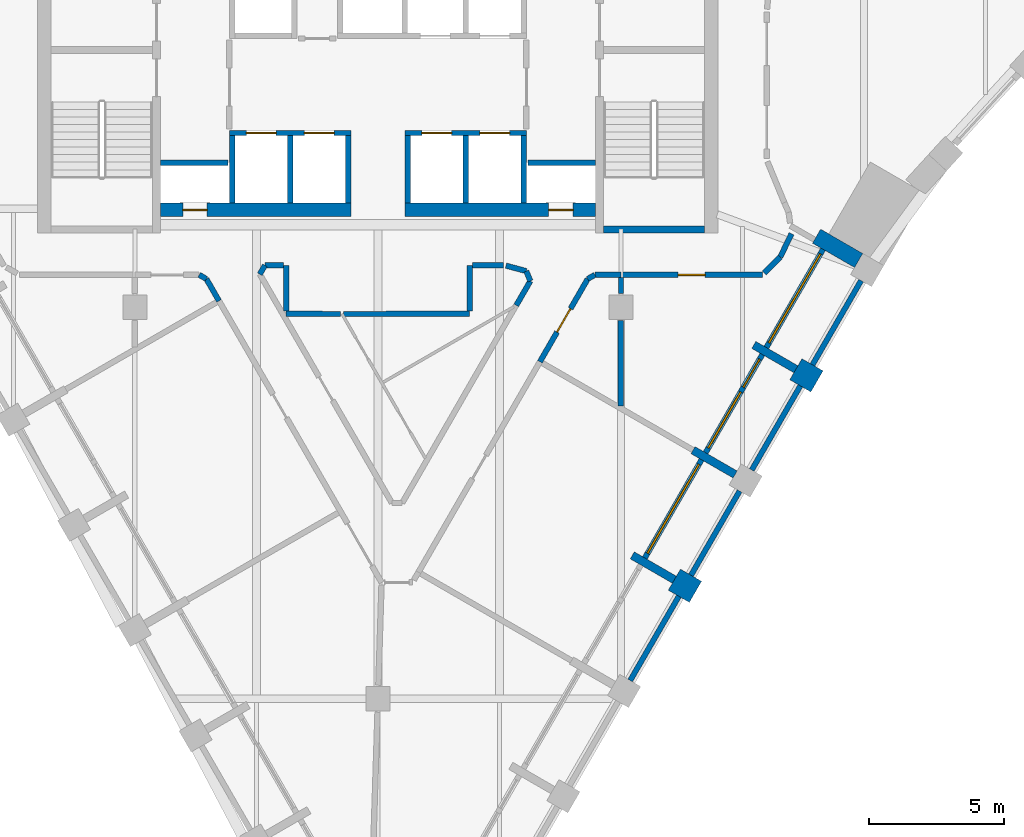
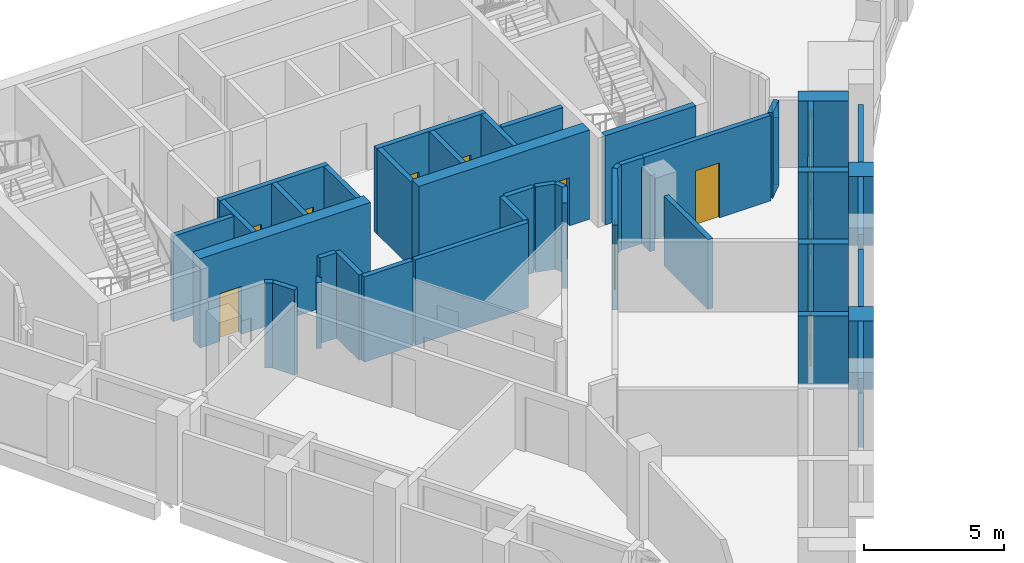
# One storey, part 4 of 8: 46 walls, 9 doors, 3 windows, 12 openings.
"""IFC4 building model written with IfcOpenShell, lengths in metres."""

from ifc_helpers import new_model, si_unit, direction, frame, frame_2d, origin, place, context, subcontext, project, spatial, rectangle, extrude, material, layer, layer_set, type_object, element, fill, save


model = new_model("IFC4")

# Units and contexts
model_context = context("Model", 3, precision=1e-05, world=origin(), true_north=direction((0.0, 1.0)))
body_context = subcontext(model_context, "Body", "Model", "MODEL_VIEW")
ifc_project = project(units=[si_unit("LENGTHUNIT", "METRE"), si_unit("AREAUNIT", "SQUARE_METRE"), si_unit("VOLUMEUNIT", "CUBIC_METRE"), si_unit("PLANEANGLEUNIT", "RADIAN"), si_unit("MASSUNIT", "GRAM", prefix="KILO")], contexts=[model_context])

# Site, building, storey
site_placement = place(None, origin())
site = spatial("IfcSite", under=ifc_project, at=site_placement, CompositionType="ELEMENT")
building_placement = place(site_placement, origin())
building = spatial("IfcBuilding", under=site, at=building_placement, Name="Calabash Gate Tower", CompositionType="ELEMENT")
storey_placement = place(building_placement, frame((0.0, 0.0, 279.39990234375)))
storey = spatial("IfcBuildingStorey", under=building, at=storey_placement, Name="L67", CompositionType="ELEMENT", Elevation=279.39990234375)

# Walls
ifc_material_1 = material(Name="Terracotta brick masonry, exposed face", Category="masonry")
ifc_layer_1 = layer(ifc_material_1, 0.89990234375)
ifc_layer_set_1 = layer_set([ifc_layer_1], Name="Brick end wall 900")
wall_type_1 = type_object("IfcWallType", Name="Brick end wall 900", PredefinedType="SOLIDWALL", material=ifc_layer_set_1)
for number, where, z_axis, x_axis, name in (
    (1, (11.758544921875, -8.041015625, 0.0), (0.0, 0.0, 1.0), (-0.866013897511, 0.50001992892, 0.0), "Brick pier S20 SE2.3"),
    (2, (15.479248046875, 0.203369140625, 0.0), (0.0, 0.0, 1.0), (0.865896406789, -0.500223362819, 0.0), "Brick pier S20 SE2.5"),
):
    element("IfcWall", number, at=place(storey_placement, frame(where, z_axis=z_axis, x_axis=x_axis)), inside=storey, type_object=wall_type_1, Name=name, PredefinedType="SOLIDWALL", context=body_context, shape_type="SweptSolid", body=[
        extrude(rectangle(XDim=0.89990234375, YDim=0.89990234375, at=frame_2d((0.449951171875, 0.0))), origin(), (0.0, 0.0, 1.0), 3.0),
    ])
ifc_material_2 = material(Name="Terracotta brick masonry, exposed face", Category="masonry")
ifc_layer_2 = layer(ifc_material_2, 0.300048828125)
ifc_layer_set_2 = layer_set([ifc_layer_2], Name="Brick loggia cheek wall 300")
wall_type_2 = type_object("IfcWallType", Name="Brick loggia cheek wall 300", PredefinedType="SOLIDWALL", material=ifc_layer_set_2)
for number, where, z_axis, x_axis, name in (
    (3, (9.42041015625, -6.69091796875, 0.0), (0.0, 0.0, 1.0), (0.865989075817, -0.500062916607, 0.0), "Loggia cheek S20 SE2.3"),
    (4, (13.229248046875, -3.69384765625, 0.0), (0.0, 0.0, 1.0), (-0.866047807691, 0.499961193289, 0.0), "Loggia cheek S20 SE2.4"),
    (5, (15.479248046875, 0.203369140625, 0.0), (0.0, 0.0, 1.0), (-0.866047807691, 0.499961193289, 0.0), "Loggia cheek S20 SE2.5"),
):
    element("IfcWall", number, at=place(storey_placement, frame(where, z_axis=z_axis, x_axis=x_axis)), inside=storey, type_object=wall_type_2, Name=name, PredefinedType="SOLIDWALL", context=body_context, shape_type="SweptSolid", body=[
        extrude(rectangle(XDim=1.800048828125, YDim=0.300048828125, at=frame_2d((0.89990234375, 0.0))), origin(), (0.0, 0.0, 1.0), 3.0),
    ])
wall_1_placement = place(storey_placement, frame((17.803466796875, 4.230712890625, 0.0), z_axis=(0.0, 0.0, 1.0), x_axis=(-0.866004803686, 0.500035678719, 0.0)))
element("IfcWall", 6, at=wall_1_placement, inside=storey, type_object=wall_type_2, Name="Loggia cheek S20 SE2.6", PredefinedType="SOLIDWALL", context=body_context, shape_type="SweptSolid", body=[
    extrude(rectangle(XDim=1.799072265625, YDim=0.60009765625, at=frame_2d((0.8994140625, 0.0))), origin(), (0.0, 0.0, 1.0), 2.9501953125),
])
ifc_material_3 = material(Name="Concrete C60/75", Category="concrete")
ifc_layer_3 = layer(ifc_material_3, 0.25)
ifc_layer_set_3 = layer_set([ifc_layer_3], Name="Core wall 250 Concrete C60/75")
wall_type_3 = type_object("IfcWallType", Name="Core wall 250 Concrete C60/75", PredefinedType="SHEAR", material=ifc_layer_set_3)
wall_2_placement = place(storey_placement, frame((8.35009765625, 5.377685546875, 0.0), z_axis=(0.0, 0.0, 1.0), x_axis=(1.0, 0.0, 0.0)))
element("IfcWall", 7, at=wall_2_placement, inside=storey, type_object=wall_type_3, Name="Core wall Z5-SSE L67", PredefinedType="SHEAR", context=body_context, shape_type="SweptSolid", body=[
    extrude(rectangle(XDim=3.75, YDim=0.25, at=frame_2d((1.875, 0.0))), origin(), (0.0, 0.0, 1.0), 3.900146484375),
])

# Wall, opening, door
ifc_material_4 = material(Name="Concrete C60/75", Category="concrete")
ifc_layer_4 = layer(ifc_material_4, 0.5)
ifc_layer_set_4 = layer_set([ifc_layer_4], Name="Core wall 500 Concrete C60/75")
wall_type_4 = type_object("IfcWallType", Name="Core wall 500 Concrete C60/75", PredefinedType="SHEAR", material=ifc_layer_set_4)
wall_3_placement = place(storey_placement, frame((-8.050048828125, 6.1025390625, 0.0), z_axis=(0.0, 0.0, 1.0), x_axis=(1.0, 0.0, 0.0)))
wall_3 = element("IfcWall", 8, at=wall_3_placement, inside=storey, type_object=wall_type_4, Name="Core wall Z5-SA L67", PredefinedType="SHEAR", context=body_context, shape_type="SweptSolid", body=[
    extrude(rectangle(XDim=7.050048828125, YDim=0.5, at=frame_2d((3.52490234375, 0.0))), origin(), (0.0, 0.0, 1.0), 3.900146484375),
])
opening_1_placement = place(wall_3_placement, frame((0.824951171875, 0.0, 0.0)))
opening_1 = element("IfcOpeningElement", 9, at=opening_1_placement, cuts=wall_3, Name="Opening O12-008", PredefinedType="OPENING", context=body_context, shape_type="SweptSolid", body=[
    extrude(rectangle(XDim=0.89990234375, YDim=2.10009765625, at=frame_2d((0.449951171875, 1.050048828125))), frame((0.0, 0.260009765625, 0.0), z_axis=(0.0, -1.0, 0.0), x_axis=(1.0, 0.0, 0.0)), (0.0, 0.0, 1.0), 0.52001953125),
])
ifc_material_5 = material(Name="Steel fire door set with fire-resisting glazing", Category="steel")
door_type_1 = type_object("IfcDoorType", Name="Fire door D07 900x2100 FD90", OperationType="NOTDEFINED", PredefinedType="DOOR", material=ifc_material_5)
door_1_placement = place(opening_1_placement, origin())
door_1 = element("IfcDoor", 10, at=door_1_placement, inside=storey, type_object=door_type_1, Name="Electrical Riser W door", OperationType="SINGLE_SWING_LEFT", OverallHeight=2.10009765625, OverallWidth=0.89990234375, PredefinedType="DOOR", context=body_context, shape_type="SweptSolid", body=[
    extrude(rectangle(XDim=0.89990234375, YDim=2.10009765625, at=frame_2d((0.449951171875, 1.050048828125))), frame((0.0, 0.02490234375, 0.0), z_axis=(0.0, -1.0, 0.0), x_axis=(1.0, 0.0, 0.0)), (0.0, 0.0, 1.0), 0.050048828125),
])
fill(opening_1, door_1)

wall_4_placement = place(storey_placement, frame((1.0, 6.1025390625, 0.0), z_axis=(0.0, 0.0, 1.0), x_axis=(1.0, 0.0, 0.0)))
wall_4 = element("IfcWall", 11, at=wall_4_placement, inside=storey, type_object=wall_type_4, Name="Core wall Z5-SB L67", PredefinedType="SHEAR", context=body_context, shape_type="SweptSolid", body=[
    extrude(rectangle(XDim=7.050048828125, YDim=0.5, at=frame_2d((3.52490234375, 0.0))), origin(), (0.0, 0.0, 1.0), 3.900146484375),
])
opening_2_placement = place(wall_4_placement, frame((5.324951171875, 0.0, 0.0)))
opening_2 = element("IfcOpeningElement", 12, at=opening_2_placement, cuts=wall_4, Name="Opening O12-007", PredefinedType="OPENING", context=body_context, shape_type="SweptSolid", body=[
    extrude(rectangle(XDim=0.89990234375, YDim=2.10009765625, at=frame_2d((0.449951171875, 1.050048828125))), frame((0.0, 0.260009765625, 0.0), z_axis=(0.0, -1.0, 0.0), x_axis=(1.0, 0.0, 0.0)), (0.0, 0.0, 1.0), 0.52001953125),
])
door_2_placement = place(opening_2_placement, origin())
door_2 = element("IfcDoor", 13, at=door_2_placement, inside=storey, type_object=door_type_1, Name="Mechanical Riser E door", OperationType="SINGLE_SWING_RIGHT", OverallHeight=2.10009765625, OverallWidth=0.89990234375, PredefinedType="DOOR", context=body_context, shape_type="SweptSolid", body=[
    extrude(rectangle(XDim=0.89990234375, YDim=2.10009765625, at=frame_2d((0.449951171875, 1.050048828125))), frame((0.0, 0.02490234375, 0.0), z_axis=(0.0, -1.0, 0.0), x_axis=(1.0, 0.0, 0.0)), (0.0, 0.0, 1.0), 0.050048828125),
])
fill(opening_2, door_2)

# Walls
ifc_material_6 = material(Name="Gypsum board on steel studs, mineral wool", Category="steel")
ifc_layer_5 = layer(ifc_material_6, 0.199951171875)
ifc_layer_set_5 = layer_set([ifc_layer_5], Name="Partition 200 gypsum board EI 60")
wall_type_5 = type_object("IfcWallType", Name="Partition 200 gypsum board EI 60", PredefinedType="PARTITIONING", material=ifc_layer_set_5)
wall_5_placement = place(storey_placement, frame((9.000244140625, -1.151611328125, 0.0), z_axis=(0.0, 0.0, 1.0), x_axis=(0.0, 1.0, 0.0)))
element("IfcWall", 14, at=wall_5_placement, inside=storey, type_object=wall_type_5, Name="Partition", PredefinedType="PARTITIONING", context=body_context, shape_type="SweptSolid", body=[
    extrude(rectangle(XDim=3.151611328125, YDim=0.199951171875, at=frame_2d((1.57568359375, 0.0))), origin(), (0.0, 0.0, 1.0), 3.052001953125),
])
wall_6_placement = place(storey_placement, frame((-3.400146484375, 2.25244140625, 0.0), z_axis=(0.0, 0.0, 1.0), x_axis=(0.999999531889, -0.00096758542, 0.0)))
element("IfcWall", 15, at=wall_6_placement, inside=storey, type_object=wall_type_5, Name="Partition", PredefinedType="PARTITIONING", context=body_context, shape_type="SweptSolid", body=[
    extrude(rectangle(XDim=2.0185546875, YDim=0.199951171875, at=frame_2d((1.00927734375, 0.0))), origin(), (0.0, 0.0, 1.0), 3.72998046875),
])
wall_7_placement = place(storey_placement, frame((-1.28125, 2.25048828125, 0.0), z_axis=(0.0, 0.0, 1.0), x_axis=(0.999999912959, 0.000417231632, 0.0)))
element("IfcWall", 16, at=wall_7_placement, inside=storey, type_object=wall_type_5, Name="Partition", PredefinedType="PARTITIONING", context=body_context, shape_type="SweptSolid", body=[
    extrude(rectangle(XDim=4.68115234375, YDim=0.199951171875, at=frame_2d((2.340576171875, 0.0))), origin(), (0.0, 0.0, 1.0), 3.72998046875),
])
wall_8_placement = place(storey_placement, frame((-3.402099609375, 4.050537109375, 0.0), z_axis=(0.0, 0.0, 1.0), x_axis=(0.001150085496, -0.999999338651, 0.0)))
element("IfcWall", 17, at=wall_8_placement, inside=storey, type_object=wall_type_5, Name="Partition", PredefinedType="PARTITIONING", context=body_context, shape_type="SweptSolid", body=[
    extrude(rectangle(XDim=1.6982421875, YDim=0.199951171875, at=frame_2d((0.84912109375, 0.0))), origin(), (0.0, 0.0, 1.0), 3.72998046875),
])
wall_9_placement = place(storey_placement, frame((5.122314453125, 2.568603515625, 0.0), z_axis=(0.0, 0.0, 1.0), x_axis=(0.501525356051, 0.86514294613, 0.0)))
element("IfcWall", 18, at=wall_9_placement, inside=storey, type_object=wall_type_5, Name="Partition", PredefinedType="PARTITIONING", context=body_context, shape_type="SweptSolid", body=[
    extrude(rectangle(XDim=1.042724609375, YDim=0.199951171875, at=frame_2d((0.521484375, 0.0))), origin(), (0.0, 0.0, 1.0), 3.72998046875),
])
wall_10_placement = place(storey_placement, frame((-6.352783203125, 3.54638671875, 0.0), z_axis=(0.0, 0.0, 1.0), x_axis=(0.498715622975, -0.86676567041, 0.0)))
element("IfcWall", 19, at=wall_10_placement, inside=storey, type_object=wall_type_5, Name="Partition", PredefinedType="PARTITIONING", context=body_context, shape_type="SweptSolid", body=[
    extrude(rectangle(XDim=0.93798828125, YDim=0.199951171875, at=frame_2d((0.468994140625, 0.0))), origin(), (0.0, 0.0, 1.0), 3.72998046875),
])
wall_11_placement = place(storey_placement, frame((5.494140625, 3.8369140625, 0.0), z_axis=(0.0, 0.0, 1.0), x_axis=(0.381462580175, -0.924384281523, 0.0)))
element("IfcWall", 20, at=wall_11_placement, inside=storey, type_object=wall_type_5, Name="Partition", PredefinedType="PARTITIONING", context=body_context, shape_type="SweptSolid", body=[
    extrude(rectangle(XDim=0.396240234375, YDim=0.199951171875, at=frame_2d((0.1982421875, 0.0))), origin(), (0.0, 0.0, 1.0), 3.72998046875),
])
wall_12_placement = place(storey_placement, frame((-6.61767578125, 3.699462890625, 0.0), z_axis=(0.0, 0.0, 1.0), x_axis=(0.865826662844, -0.500344071524, 0.0)))
element("IfcWall", 21, at=wall_12_placement, inside=storey, type_object=wall_type_5, Name="Partition", PredefinedType="PARTITIONING", context=body_context, shape_type="SweptSolid", body=[
    extrude(rectangle(XDim=0.305908203125, YDim=0.199951171875, at=frame_2d((0.15283203125, 0.0))), origin(), (0.0, 0.0, 1.0), 3.72998046875),
])

# Wall, opening, door
wall_13_placement = place(storey_placement, frame((6.0, 0.480712890625, 0.0), z_axis=(0.0, 0.0, 1.0), x_axis=(0.499648797631, 0.866228075639, 0.0)))
wall_13 = element("IfcWall", 22, at=wall_13_placement, inside=storey, type_object=wall_type_5, Name="Partition", PredefinedType="PARTITIONING", context=body_context, shape_type="SweptSolid", body=[
    extrude(rectangle(XDim=3.5390625, YDim=0.199951171875, at=frame_2d((1.76953125, 0.0))), origin(), (0.0, 0.0, 1.0), 3.72998046875),
])
opening_3_placement = place(wall_13_placement, frame((1.26953125, 0.0, 0.0)))
opening_3 = element("IfcOpeningElement", 23, at=opening_3_placement, cuts=wall_13, Name="Opening 67-68-008", PredefinedType="OPENING", context=body_context, shape_type="SweptSolid", body=[
    extrude(rectangle(XDim=1.0, YDim=2.39990234375, at=frame_2d((0.5, 1.199951171875))), frame((0.0, 0.10986328125, 0.0), z_axis=(0.0, -1.0, 0.0), x_axis=(1.0, 0.0, 0.0)), (0.0, 0.0, 1.0), 0.219970703125),
])
ifc_material_7 = material(Name="Painted timber door", Category="wood")
door_type_2 = type_object("IfcDoorType", Name="OD2 Glazed office door 1000x2400", OperationType="NOTDEFINED", PredefinedType="DOOR", material=ifc_material_7)
door_3_placement = place(opening_3_placement, origin())
door_3 = element("IfcDoor", 24, at=door_3_placement, inside=storey, type_object=door_type_2, Name="Glazed office door", OperationType="SINGLE_SWING_LEFT", OverallHeight=2.39990234375, OverallWidth=1.0, PredefinedType="DOOR", context=body_context, shape_type="SweptSolid", body=[
    extrude(rectangle(XDim=1.0, YDim=2.39990234375, at=frame_2d((0.5, 1.199951171875))), frame((0.0, 0.02490234375, 0.0), z_axis=(0.0, -1.0, 0.0), x_axis=(1.0, 0.0, 0.0)), (0.0, 0.0, 1.0), 0.050048828125),
])
fill(opening_3, door_3)

# Walls
wall_14_placement = place(storey_placement, frame((9.000244140625, 3.0, 0.0), z_axis=(0.0, 0.0, 1.0), x_axis=(0.002442989453, 0.999997015897, 0.0)))
element("IfcWall", 25, at=wall_14_placement, inside=storey, type_object=wall_type_5, Name="Partition", PredefinedType="PARTITIONING", context=body_context, shape_type="SweptSolid", body=[
    extrude(rectangle(XDim=0.599609375, YDim=0.199951171875, at=frame_2d((0.2998046875, 0.0))), origin(), (0.0, 0.0, 1.0), 3.331787109375),
])
wall_15_placement = place(storey_placement, frame((7.768310546875, 3.54638671875, 0.0), z_axis=(0.0, 0.0, 1.0), x_axis=(0.865826662844, 0.500344071524, 0.0)))
element("IfcWall", 26, at=wall_15_placement, inside=storey, type_object=wall_type_5, Name="Partition", PredefinedType="PARTITIONING", context=body_context, shape_type="SweptSolid", body=[
    extrude(rectangle(XDim=0.305908203125, YDim=0.199951171875, at=frame_2d((0.15283203125, 0.0))), origin(), (0.0, 0.0, 1.0), 3.72998046875),
])
wall_16_placement = place(storey_placement, frame((8.033203125, 3.699462890625, 0.0), z_axis=(0.0, 0.0, 1.0), x_axis=(0.99999885216, -0.001515149776, 0.0)))
element("IfcWall", 27, at=wall_16_placement, inside=storey, type_object=wall_type_5, Name="Partition", PredefinedType="PARTITIONING", context=body_context, shape_type="SweptSolid", body=[
    extrude(rectangle(XDim=0.966796875, YDim=0.199951171875, at=frame_2d((0.4833984375, 0.0))), origin(), (0.0, 0.0, 1.0), 3.72998046875),
])

# Wall, opening, door
wall_17_placement = place(storey_placement, frame((9.000244140625, 3.697998046875, 0.0), z_axis=(0.0, 0.0, 1.0), x_axis=(0.999999960922, 0.000279563869, 0.0)))
wall_17 = element("IfcWall", 28, at=wall_17_placement, inside=storey, type_object=wall_type_5, Name="Partition", PredefinedType="PARTITIONING", context=body_context, shape_type="SweptSolid", body=[
    extrude(rectangle(XDim=5.23974609375, YDim=0.199951171875, at=frame_2d((2.619873046875, 0.0))), origin(), (0.0, 0.0, 1.0), 3.72998046875),
])
opening_4_placement = place(wall_17_placement, frame((2.119873046875, 0.0, 0.0)))
opening_4 = element("IfcOpeningElement", 29, at=opening_4_placement, cuts=wall_17, Name="Opening 67-68-009", PredefinedType="OPENING", context=body_context, shape_type="SweptSolid", body=[
    extrude(rectangle(XDim=1.0, YDim=2.39990234375, at=frame_2d((0.5, 1.199951171875))), frame((0.0, 0.10986328125, 0.0), z_axis=(0.0, -1.0, 0.0), x_axis=(1.0, 0.0, 0.0)), (0.0, 0.0, 1.0), 0.219970703125),
])
door_4_placement = place(opening_4_placement, origin())
door_4 = element("IfcDoor", 30, at=door_4_placement, inside=storey, type_object=door_type_2, Name="Glazed office door", OperationType="SINGLE_SWING_RIGHT", OverallHeight=2.39990234375, OverallWidth=1.0, PredefinedType="DOOR", context=body_context, shape_type="SweptSolid", body=[
    extrude(rectangle(XDim=1.0, YDim=2.39990234375, at=frame_2d((0.5, 1.199951171875))), frame((0.0, 0.02490234375, 0.0), z_axis=(0.0, -1.0, 0.0), x_axis=(1.0, 0.0, 0.0)), (0.0, 0.0, 1.0), 0.050048828125),
])
fill(opening_4, door_4)

# Walls
wall_18_placement = place(storey_placement, frame((4.7421875, 4.041015625, 0.0), z_axis=(0.0, 0.0, 1.0), x_axis=(0.965081274591, -0.261950631675, 0.0)))
element("IfcWall", 31, at=wall_18_placement, inside=storey, type_object=wall_type_5, Name="Partition", PredefinedType="PARTITIONING", context=body_context, shape_type="SweptSolid", body=[
    extrude(rectangle(XDim=0.779052734375, YDim=0.199951171875, at=frame_2d((0.3896484375, 0.0))), origin(), (0.0, 0.0, 1.0), 3.72998046875),
])
wall_19_placement = place(storey_placement, frame((-4.375, 3.72265625, 0.0), z_axis=(0.0, 0.0, 1.0), x_axis=(0.499999897272, 0.866025463095, 0.0)))
element("IfcWall", 32, at=wall_19_placement, inside=storey, type_object=wall_type_5, Name="Partition", PredefinedType="PARTITIONING", context=body_context, shape_type="SweptSolid", body=[
    extrude(rectangle(XDim=0.380859375, YDim=0.199951171875, at=frame_2d((0.1904296875, 0.0))), origin(), (0.0, 0.0, 1.0), 2.88427734375),
])
wall_20_placement = place(storey_placement, frame((-4.1845703125, 4.052490234375, 0.0), z_axis=(0.0, 0.0, 1.0), x_axis=(0.999996866067, -0.002503568692, 0.0)))
element("IfcWall", 33, at=wall_20_placement, inside=storey, type_object=wall_type_5, Name="Partition", PredefinedType="PARTITIONING", context=body_context, shape_type="SweptSolid", body=[
    extrude(rectangle(XDim=0.6826171875, YDim=0.199951171875, at=frame_2d((0.34130859375, 0.0))), origin(), (0.0, 0.0, 1.0), 3.72998046875),
])
wall_21_placement = place(storey_placement, frame((3.400146484375, 2.352294921875, 0.0), z_axis=(0.0, 0.0, 1.0), x_axis=(0.001150085496, 0.999999338651, 0.0)))
element("IfcWall", 34, at=wall_21_placement, inside=storey, type_object=wall_type_5, Name="Partition", PredefinedType="PARTITIONING", context=body_context, shape_type="SweptSolid", body=[
    extrude(rectangle(XDim=1.6982421875, YDim=0.199951171875, at=frame_2d((0.84912109375, 0.0))), origin(), (0.0, 0.0, 1.0), 3.72998046875),
])
wall_22_placement = place(storey_placement, frame((3.501953125, 4.05078125, 0.0), z_axis=(0.0, 0.0, 1.0), x_axis=(0.999998904, 0.001480539832, 0.0)))
element("IfcWall", 35, at=wall_22_placement, inside=storey, type_object=wall_type_5, Name="Partition", PredefinedType="PARTITIONING", context=body_context, shape_type="SweptSolid", body=[
    extrude(rectangle(XDim=1.154296875, YDim=0.199951171875, at=frame_2d((0.5771484375, 0.0))), origin(), (0.0, 0.0, 1.0), 3.72998046875),
])
wall_23_placement = place(storey_placement, frame((14.310791015625, 3.770263671875, 0.0), z_axis=(0.0, 0.0, 1.0), x_axis=(0.707106781187, 0.707106781187, 0.0)))
element("IfcWall", 36, at=wall_23_placement, inside=storey, type_object=wall_type_5, Name="Partition", PredefinedType="PARTITIONING", context=body_context, shape_type="SweptSolid", body=[
    extrude(rectangle(XDim=0.833740234375, YDim=0.199951171875, at=frame_2d((0.4169921875, 0.0))), origin(), (0.0, 0.0, 1.0), 3.72998046875),
])
wall_24_placement = place(storey_placement, frame((14.900390625, 4.35986328125, 0.0), z_axis=(0.0, 0.0, 1.0), x_axis=(0.435199770088, 0.900333915897, 0.0)))
element("IfcWall", 37, at=wall_24_placement, inside=storey, type_object=wall_type_5, Name="Partition", PredefinedType="PARTITIONING", context=body_context, shape_type="SweptSolid", body=[
    extrude(rectangle(XDim=0.954345703125, YDim=0.199951171875, at=frame_2d((0.47705078125, 0.0))), origin(), (0.0, 0.0, 1.0), 2.9501953125),
])
ifc_material_8 = material(Name="Concrete C40/50", Category="concrete")
ifc_layer_6 = layer(ifc_material_8, 0.199951171875)
ifc_layer_set_6 = layer_set([ifc_layer_6], Name="Shaft wall 200 Concrete C40/50")
wall_type_6 = type_object("IfcWallType", Name="Shaft wall 200 Concrete C40/50", PredefinedType="SOLIDWALL", material=ifc_layer_set_6)
for number, where, z_axis, x_axis, name in (
    (38, (-5.39990234375, 6.3525390625, 0.0), (0.0, 0.0, 1.0), (0.0, 1.0, 0.0), "Shaft wall"),
    (39, (-3.25, 6.3525390625, 0.0), (0.0, 0.0, 1.0), (0.0, 1.0, 0.0), "Shaft wall"),
    (40, (-1.10009765625, 6.3525390625, 0.0), (0.0, 0.0, 1.0), (0.0, 1.0, 0.0), "Shaft wall"),
    (41, (1.10009765625, 6.3525390625, 0.0), (0.0, 0.0, 1.0), (0.0, 1.0, 0.0), "Shaft wall"),
    (42, (3.25, 6.3525390625, 0.0), (0.0, 0.0, 1.0), (0.0, 1.0, 0.0), "Shaft wall"),
    (43, (5.39990234375, 6.3525390625, 0.0), (0.0, 0.0, 1.0), (0.0, 1.0, 0.0), "Shaft wall"),
    (44, (-8.050048828125, 7.8525390625, 0.0), (0.0, 0.0, 1.0), (1.0, 0.0, 0.0), "Shaft wall"),
    (45, (5.550048828125, 7.8525390625, 0.0), (0.0, 0.0, 1.0), (1.0, 0.0, 0.0), "Shaft wall"),
):
    element("IfcWall", number, at=place(storey_placement, frame(where, z_axis=z_axis, x_axis=x_axis)), inside=storey, type_object=wall_type_6, Name=name, PredefinedType="SOLIDWALL", context=body_context, shape_type="SweptSolid", body=[
        extrude(rectangle(XDim=2.5, YDim=0.199951171875, at=frame_2d((1.25, 0.0))), origin(), (0.0, 0.0, 1.0), 3.72998046875),
    ])

# Wall, openings, doors
wall_25_placement = place(storey_placement, frame((-5.5, 8.95263671875, 0.0), z_axis=(0.0, 0.0, 1.0), x_axis=(1.0, 0.0, 0.0)))
wall_25 = element("IfcWall", 46, at=wall_25_placement, inside=storey, type_object=wall_type_6, Name="Shaft wall", PredefinedType="SOLIDWALL", context=body_context, shape_type="SweptSolid", body=[
    extrude(rectangle(XDim=4.5, YDim=0.199951171875, at=frame_2d((2.25, 0.0))), origin(), (0.0, 0.0, 1.0), 3.72998046875),
])
opening_5_placement = place(wall_25_placement, frame((0.625, 0.0, 0.0)))
opening_5 = element("IfcOpeningElement", 47, at=opening_5_placement, cuts=wall_25, Name="Opening LD-HR1", PredefinedType="OPENING", context=body_context, shape_type="SweptSolid", body=[
    extrude(rectangle(XDim=1.10009765625, YDim=2.10009765625, at=frame_2d((0.550048828125, 1.050048828125))), frame((0.0, 0.10986328125, 0.0), z_axis=(0.0, -1.0, 0.0), x_axis=(1.0, 0.0, 0.0)), (0.0, 0.0, 1.0), 0.219970703125),
])
opening_6_placement = place(wall_25_placement, frame((2.77490234375, 0.0, 0.0)))
opening_6 = element("IfcOpeningElement", 48, at=opening_6_placement, cuts=wall_25, Name="Opening LD-HR2", PredefinedType="OPENING", context=body_context, shape_type="SweptSolid", body=[
    extrude(rectangle(XDim=1.10009765625, YDim=2.10009765625, at=frame_2d((0.550048828125, 1.050048828125))), frame((0.0, 0.10986328125, 0.0), z_axis=(0.0, -1.0, 0.0), x_axis=(1.0, 0.0, 0.0)), (0.0, 0.0, 1.0), 0.219970703125),
])
ifc_material_9 = material(Name="Stainless steel sliding door leaves", Category="steel")
door_type_3 = type_object("IfcDoorType", Name="Lift landing door LS1 1100x2100 FD90", OperationType="DOUBLE_DOOR_SLIDING", PredefinedType="DOOR", material=ifc_material_9)
door_5_placement = place(opening_5_placement, origin())
door_5 = element("IfcDoor", 49, at=door_5_placement, inside=storey, type_object=door_type_3, Name="Lift landing door HR1", OperationType="DOUBLE_DOOR_SLIDING", OverallHeight=2.10009765625, OverallWidth=1.10009765625, PredefinedType="DOOR", context=body_context, shape_type="SweptSolid", body=[
    extrude(rectangle(XDim=1.10009765625, YDim=2.10009765625, at=frame_2d((0.550048828125, 1.050048828125))), frame((0.0, 0.02490234375, 0.0), z_axis=(0.0, -1.0, 0.0), x_axis=(1.0, 0.0, 0.0)), (0.0, 0.0, 1.0), 0.050048828125),
])
fill(opening_5, door_5)
door_6_placement = place(opening_6_placement, origin())
door_6 = element("IfcDoor", 50, at=door_6_placement, inside=storey, type_object=door_type_3, Name="Lift landing door HR2", OperationType="DOUBLE_DOOR_SLIDING", OverallHeight=2.10009765625, OverallWidth=1.10009765625, PredefinedType="DOOR", context=body_context, shape_type="SweptSolid", body=[
    extrude(rectangle(XDim=1.10009765625, YDim=2.10009765625, at=frame_2d((0.550048828125, 1.050048828125))), frame((0.0, 0.02490234375, 0.0), z_axis=(0.0, -1.0, 0.0), x_axis=(1.0, 0.0, 0.0)), (0.0, 0.0, 1.0), 0.050048828125),
])
fill(opening_6, door_6)

wall_26_placement = place(storey_placement, frame((1.0, 8.95263671875, 0.0), z_axis=(0.0, 0.0, 1.0), x_axis=(1.0, 0.0, 0.0)))
wall_26 = element("IfcWall", 51, at=wall_26_placement, inside=storey, type_object=wall_type_6, Name="Shaft wall", PredefinedType="SOLIDWALL", context=body_context, shape_type="SweptSolid", body=[
    extrude(rectangle(XDim=4.5, YDim=0.199951171875, at=frame_2d((2.25, 0.0))), origin(), (0.0, 0.0, 1.0), 3.72998046875),
])
opening_7_placement = place(wall_26_placement, frame((0.625, 0.0, 0.0)))
opening_7 = element("IfcOpeningElement", 52, at=opening_7_placement, cuts=wall_26, Name="Opening LD-HR3", PredefinedType="OPENING", context=body_context, shape_type="SweptSolid", body=[
    extrude(rectangle(XDim=1.10009765625, YDim=2.10009765625, at=frame_2d((0.550048828125, 1.050048828125))), frame((0.0, 0.10986328125, 0.0), z_axis=(0.0, -1.0, 0.0), x_axis=(1.0, 0.0, 0.0)), (0.0, 0.0, 1.0), 0.219970703125),
])
opening_8_placement = place(wall_26_placement, frame((2.77490234375, 0.0, 0.0)))
opening_8 = element("IfcOpeningElement", 53, at=opening_8_placement, cuts=wall_26, Name="Opening LD-HR4", PredefinedType="OPENING", context=body_context, shape_type="SweptSolid", body=[
    extrude(rectangle(XDim=1.10009765625, YDim=2.10009765625, at=frame_2d((0.550048828125, 1.050048828125))), frame((0.0, 0.10986328125, 0.0), z_axis=(0.0, -1.0, 0.0), x_axis=(1.0, 0.0, 0.0)), (0.0, 0.0, 1.0), 0.219970703125),
])
door_7_placement = place(opening_7_placement, origin())
door_7 = element("IfcDoor", 54, at=door_7_placement, inside=storey, type_object=door_type_3, Name="Lift landing door HR3", OperationType="DOUBLE_DOOR_SLIDING", OverallHeight=2.10009765625, OverallWidth=1.10009765625, PredefinedType="DOOR", context=body_context, shape_type="SweptSolid", body=[
    extrude(rectangle(XDim=1.10009765625, YDim=2.10009765625, at=frame_2d((0.550048828125, 1.050048828125))), frame((0.0, 0.02490234375, 0.0), z_axis=(0.0, -1.0, 0.0), x_axis=(1.0, 0.0, 0.0)), (0.0, 0.0, 1.0), 0.050048828125),
])
fill(opening_7, door_7)
door_8_placement = place(opening_8_placement, origin())
door_8 = element("IfcDoor", 55, at=door_8_placement, inside=storey, type_object=door_type_3, Name="Lift landing door HR4", OperationType="DOUBLE_DOOR_SLIDING", OverallHeight=2.10009765625, OverallWidth=1.10009765625, PredefinedType="DOOR", context=body_context, shape_type="SweptSolid", body=[
    extrude(rectangle(XDim=1.10009765625, YDim=2.10009765625, at=frame_2d((0.550048828125, 1.050048828125))), frame((0.0, 0.02490234375, 0.0), z_axis=(0.0, -1.0, 0.0), x_axis=(1.0, 0.0, 0.0)), (0.0, 0.0, 1.0), 0.050048828125),
])
fill(opening_8, door_8)

# Walls
ifc_material_10 = material(Name="Terracotta brick masonry, perforated", Category="masonry")
ifc_layer_7 = layer(ifc_material_10, 0.199951171875)
ifc_layer_set_7 = layer_set([ifc_layer_7], Name="Terracotta jaali screen B")
wall_type_7 = type_object("IfcWallType", Name="Terracotta jaali screen B", PredefinedType="SOLIDWALL", material=ifc_layer_set_7)
for number, where, z_axis, x_axis, name in (
    (56, (9.343994140625, -11.3232421875, 0.0), (0.0, 0.0, 1.0), (0.500012057535, 0.866018442252, 0.0), "SCREEN B S20 SE2.3"),
    (57, (11.593994140625, -7.42626953125, 0.0), (0.0, 0.0, 1.0), (0.500012057535, 0.866018442252, 0.0), "SCREEN B S20 SE2.4"),
    (58, (13.843994140625, -3.529052734375, 0.0), (0.0, 0.0, 1.0), (0.500012057535, 0.866018442252, 0.0), "SCREEN B S20 SE2.5"),
    (59, (16.093994140625, 0.367919921875, 0.0), (0.0, 0.0, 1.0), (0.500012057535, 0.866018442252, 0.0), "SCREEN B S20 SE2.6"),
):
    element("IfcWall", number, at=place(storey_placement, frame(where, z_axis=z_axis, x_axis=x_axis)), inside=storey, type_object=wall_type_7, Name=name, PredefinedType="SOLIDWALL", context=body_context, shape_type="SweptSolid", body=[
        extrude(rectangle(XDim=3.60009765625, YDim=0.199951171875, at=frame_2d((1.800048828125, 0.0))), origin(), (0.0, 0.0, 1.0), 3.0),
    ])

# Wall, opening, window
ifc_material_11 = material(Name="Aluminium framed window wall with insulated spandrel", Category="aluminium")
ifc_layer_8 = layer(ifc_material_11, 0.199951171875)
ifc_layer_set_8 = layer_set([ifc_layer_8], Name="Window wall 200")
wall_type_8 = type_object("IfcWallType", Name="Window wall 200", PredefinedType="ELEMENTEDWALL", material=ifc_layer_set_8)
wall_27_placement = place(storey_placement, frame((9.885009765625, -6.7861328125, 0.0), z_axis=(0.0, 0.0, 1.0), x_axis=(0.500002543286, 0.866023935413, 0.0)))
wall_27 = element("IfcWall", 60, at=wall_27_placement, inside=storey, type_object=wall_type_8, Name="Window wall S20 SE2.4", PredefinedType="ELEMENTEDWALL", context=body_context, shape_type="SweptSolid", body=[
    extrude(rectangle(XDim=4.2001953125, YDim=0.199951171875, at=frame_2d((2.10009765625, 0.0))), origin(), (0.0, 0.0, 1.0), 3.0),
])
opening_9_placement = place(wall_27_placement, frame((0.199951171875, 0.0, 0.449951171875)))
opening_9 = element("IfcOpeningElement", 61, at=opening_9_placement, cuts=wall_27, Name="Opening OW2", PredefinedType="OPENING", context=body_context, shape_type="SweptSolid", body=[
    extrude(rectangle(XDim=3.800048828125, YDim=2.25, at=frame_2d((1.89990234375, 1.125))), frame((0.0, 0.10986328125, 0.0), z_axis=(0.0, -1.0, 0.0), x_axis=(1.0, 0.0, 0.0)), (0.0, 0.0, 1.0), 0.219970703125),
])
ifc_material_12 = material(Name="Anodised aluminium frame, bronze finish, impact-rated laminated clear glazing", Category="aluminium")
window_type_1 = type_object("IfcWindowType", Name="Window OW2 3800x2250", PartitioningType="TRIPLE_PANEL_VERTICAL", PredefinedType="WINDOW", material=ifc_material_12)
window_1_placement = place(opening_9_placement, origin())
window_1 = element("IfcWindow", 62, at=window_1_placement, inside=storey, type_object=window_type_1, Name="Window OW2 S20 SE2.4", OverallHeight=2.25, OverallWidth=3.800048828125, PartitioningType="SINGLE_PANEL", PredefinedType="WINDOW", context=body_context, shape_type="SweptSolid", body=[
    extrude(rectangle(XDim=3.800048828125, YDim=2.25, at=frame_2d((1.89990234375, 1.125))), frame((0.0, 0.030029296875, 0.0), z_axis=(0.0, -1.0, 0.0), x_axis=(1.0, 0.0, 0.0)), (0.0, 0.0, 1.0), 0.06005859375),
])
fill(opening_9, window_1)

# Wall, openings, door, window
wall_28_placement = place(storey_placement, frame((12.135009765625, -2.888916015625, 0.0), z_axis=(0.0, 0.0, 1.0), x_axis=(0.500027713859, 0.866009402589, 0.0)))
wall_28 = element("IfcWall", 63, at=wall_28_placement, inside=storey, type_object=wall_type_8, Name="Window wall S20 SE2.5", PredefinedType="ELEMENTEDWALL", context=body_context, shape_type="SweptSolid", body=[
    extrude(rectangle(XDim=4.199951171875, YDim=0.199951171875, at=frame_2d((2.10009765625, 0.0))), origin(), (0.0, 0.0, 1.0), 3.0),
])
opening_10_placement = place(wall_28_placement, frame((0.199951171875, 0.0, 0.449951171875)))
opening_10 = element("IfcOpeningElement", 64, at=opening_10_placement, cuts=wall_28, Name="Opening OW1", PredefinedType="OPENING", context=body_context, shape_type="SweptSolid", body=[
    extrude(rectangle(XDim=2.39990234375, YDim=2.25, at=frame_2d((1.199951171875, 1.125))), frame((0.0, 0.10986328125, 0.0), z_axis=(0.0, -1.0, 0.0), x_axis=(1.0, 0.0, 0.0)), (0.0, 0.0, 1.0), 0.219970703125),
])
opening_11_placement = place(wall_28_placement, frame((2.800048828125, 0.0, 0.0)))
opening_11 = element("IfcOpeningElement", 65, at=opening_11_placement, cuts=wall_28, Name="Opening O12-016", PredefinedType="OPENING", context=body_context, shape_type="SweptSolid", body=[
    extrude(rectangle(XDim=1.199951171875, YDim=2.699951171875, at=frame_2d((0.60009765625, 1.35009765625))), frame((0.0, 0.10986328125, 0.0), z_axis=(0.0, -1.0, 0.0), x_axis=(1.0, 0.0, 0.0)), (0.0, 0.0, 1.0), 0.219970703125),
])
ifc_material_13 = material(Name="Anodised aluminium frame, bronze finish, impact-rated laminated clear glazing", Category="aluminium")
door_type_4 = type_object("IfcDoorType", Name="Loggia door DO1 1200x2700", OperationType="SLIDING_TO_LEFT", PredefinedType="DOOR", material=ifc_material_13)
door_9_placement = place(opening_11_placement, origin())
door_9 = element("IfcDoor", 66, at=door_9_placement, inside=storey, type_object=door_type_4, Name="Loggia door S20 SE2.5", OperationType="SINGLE_SWING_LEFT", OverallHeight=2.699951171875, OverallWidth=1.199951171875, PredefinedType="DOOR", context=body_context, shape_type="SweptSolid", body=[
    extrude(rectangle(XDim=1.199951171875, YDim=2.699951171875, at=frame_2d((0.60009765625, 1.35009765625))), frame((0.0, 0.02490234375, 0.0), z_axis=(0.0, -1.0, 0.0), x_axis=(1.0, 0.0, 0.0)), (0.0, 0.0, 1.0), 0.050048828125),
])
fill(opening_11, door_9)
ifc_material_14 = material(Name="Anodised aluminium frame, bronze finish, impact-rated laminated clear glazing", Category="aluminium")
window_type_2 = type_object("IfcWindowType", Name="Window OW1 2400x2250", PartitioningType="DOUBLE_PANEL_VERTICAL", PredefinedType="WINDOW", material=ifc_material_14)
window_2_placement = place(opening_10_placement, origin())
window_2 = element("IfcWindow", 67, at=window_2_placement, inside=storey, type_object=window_type_2, Name="Window OW1 S20 SE2.5", OverallHeight=2.25, OverallWidth=2.39990234375, PartitioningType="SINGLE_PANEL", PredefinedType="WINDOW", context=body_context, shape_type="SweptSolid", body=[
    extrude(rectangle(XDim=2.39990234375, YDim=2.25, at=frame_2d((1.199951171875, 1.125))), frame((0.0, 0.030029296875, 0.0), z_axis=(0.0, -1.0, 0.0), x_axis=(1.0, 0.0, 0.0)), (0.0, 0.0, 1.0), 0.06005859375),
])
fill(opening_10, window_2)

# Wall, opening, window
wall_29_placement = place(storey_placement, frame((14.385009765625, 1.00830078125, 0.0), z_axis=(0.0, 0.0, 1.0), x_axis=(0.500027713859, 0.866009402589, 0.0)))
wall_29 = element("IfcWall", 68, at=wall_29_placement, inside=storey, type_object=wall_type_8, Name="Window wall S20 SE2.6", PredefinedType="ELEMENTEDWALL", context=body_context, shape_type="SweptSolid", body=[
    extrude(rectangle(XDim=4.199951171875, YDim=0.199951171875, at=frame_2d((2.10009765625, 0.0))), origin(), (0.0, 0.0, 1.0), 2.9501953125),
])
opening_12_placement = place(wall_29_placement, frame((0.199951171875, 0.0, 0.449951171875)))
opening_12 = element("IfcOpeningElement", 69, at=opening_12_placement, cuts=wall_29, Name="Opening OW2", PredefinedType="OPENING", context=body_context, shape_type="SweptSolid", body=[
    extrude(rectangle(XDim=3.800048828125, YDim=2.25, at=frame_2d((1.89990234375, 1.125))), frame((0.0, 0.10986328125, 0.0), z_axis=(0.0, -1.0, 0.0), x_axis=(1.0, 0.0, 0.0)), (0.0, 0.0, 1.0), 0.219970703125),
])
window_3_placement = place(opening_12_placement, origin())
window_3 = element("IfcWindow", 70, at=window_3_placement, inside=storey, type_object=window_type_1, Name="Window OW2 S20 SE2.6", OverallHeight=2.25, OverallWidth=3.800048828125, PartitioningType="SINGLE_PANEL", PredefinedType="WINDOW", context=body_context, shape_type="SweptSolid", body=[
    extrude(rectangle(XDim=3.800048828125, YDim=2.25, at=frame_2d((1.89990234375, 1.125))), frame((0.0, 0.030029296875, 0.0), z_axis=(0.0, -1.0, 0.0), x_axis=(1.0, 0.0, 0.0)), (0.0, 0.0, 1.0), 0.06005859375),
])
fill(opening_12, window_3)

save(model, "model.ifc")
